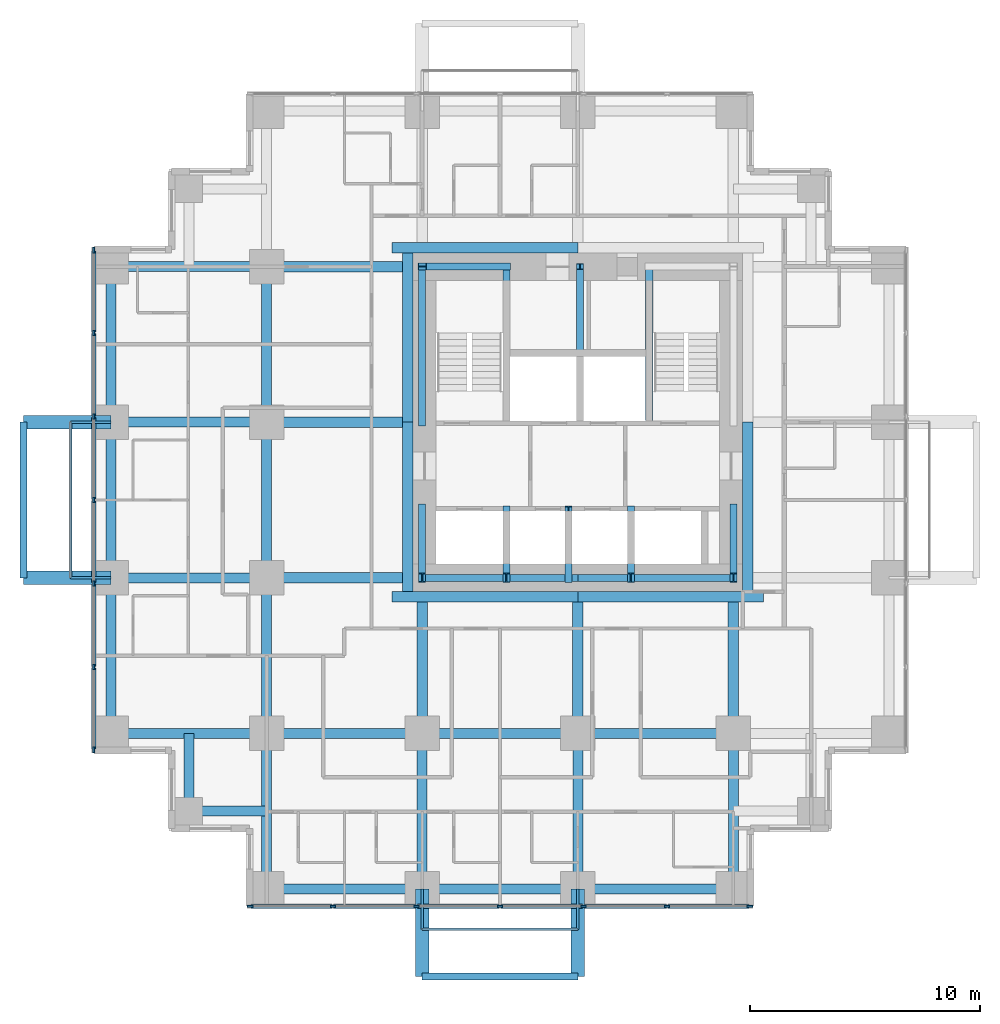
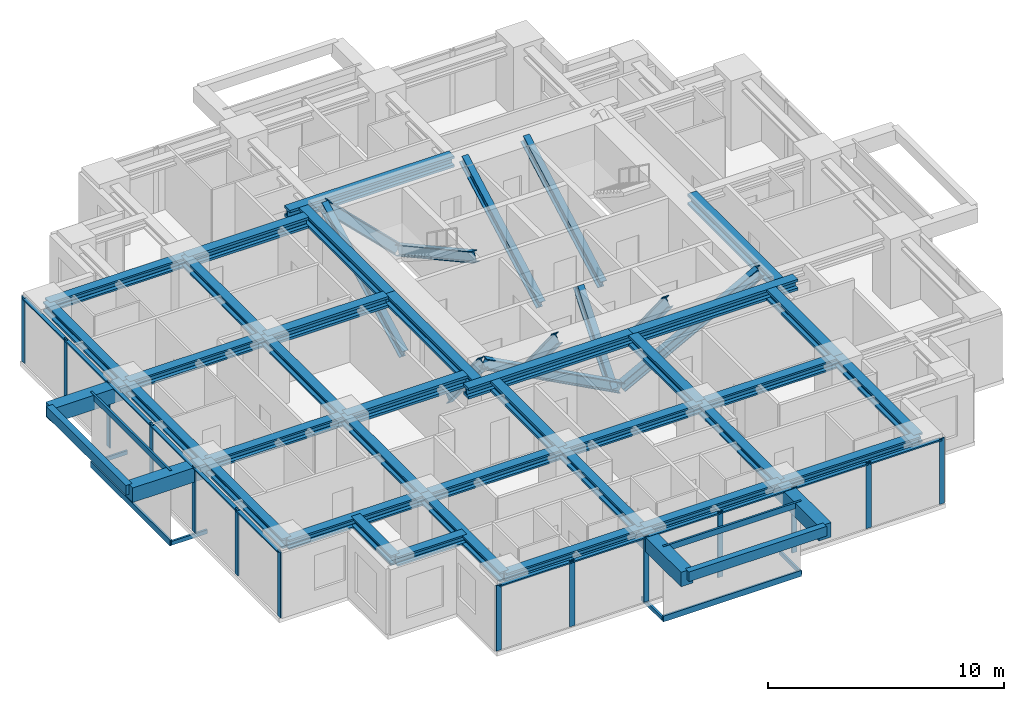
# One storey, part 2 of 10: 46 members, 40 beams, 2 elements without a shape of their own.
"""IFC4 building model written with IfcOpenShell, lengths in metres."""

from ifc_helpers import new_model, si_unit, direction, frame, origin, origin_2d, place, context, subcontext, project, spatial, rectangle, hollow_rectangle, i_section, extrude, material, material_profile, profile_set, type_object, element, aggregate, save


model = new_model("IFC4")

# Units and contexts
model_context = context("Model", 3, precision=1e-05, world=origin(), true_north=direction((0.0, 1.0)))
body_context = subcontext(model_context, "Body", "Model", "MODEL_VIEW")
ifc_project = project(units=[si_unit("LENGTHUNIT", "METRE"), si_unit("AREAUNIT", "SQUARE_METRE"), si_unit("VOLUMEUNIT", "CUBIC_METRE"), si_unit("PLANEANGLEUNIT", "RADIAN"), si_unit("MASSUNIT", "GRAM", prefix="KILO")], contexts=[model_context])

# Site, building, storey
site_placement = place(None, origin())
site = spatial("IfcSite", under=ifc_project, at=site_placement, CompositionType="ELEMENT")
building_placement = place(site_placement, origin())
building = spatial("IfcBuilding", under=site, at=building_placement, Name="Nyansa Garden Tower", CompositionType="ELEMENT")
storey_placement = place(building_placement, frame((0.0, 0.0, 153.0)))
storey = spatial("IfcBuildingStorey", under=building, at=storey_placement, Name="L41", CompositionType="ELEMENT", Elevation=153.0)

# Beams
ifc_material_1 = material(Name="Concrete C70/85", Category="concrete")
ifc_material_profile_1 = material_profile(ifc_material_1, rectangle(XDim=0.60009765625, YDim=0.75, at=origin_2d()), Name="RC 600x750")
ifc_profile_set_1 = profile_set([ifc_material_profile_1], Name="Concrete C70/85")
beam_type_1 = type_object("IfcBeamType", Name="Balcony cantilever beam CB1 RC 600x750", PredefinedType="BEAM", material=ifc_profile_set_1)
for number, where, z_axis, x_axis, name in (
    (1, (13.5, 0.0, 2.985107421875), (0.0, -1.0, 0.0), (1.0, 0.0, 0.0), "Balcony cantilever beam L42"),
    (2, (20.25, 0.0, 2.985107421875), (0.0, -1.0, 0.0), (1.0, 0.0, 0.0), "Balcony cantilever beam L42"),
    (3, (0.0, 13.5, 2.985107421875), (-1.0, 0.0, 0.0), (0.0, -1.0, 0.0), "Balcony cantilever beam L42"),
    (4, (0.0, 20.25, 2.985107421875), (-1.0, 0.0, 0.0), (0.0, -1.0, 0.0), "Balcony cantilever beam L42"),
):
    element("IfcBeam", number, at=place(storey_placement, frame(where, z_axis=z_axis, x_axis=x_axis)), inside=storey, type_object=beam_type_1, Name=name, PredefinedType="BEAM", context=body_context, shape_type="SweptSolid", body=[
        extrude(rectangle(XDim=0.60009765625, YDim=0.75, at=origin_2d()), origin(), (0.0, 0.0, 1.0), 3.800048828125),
    ])
ifc_material_2 = material(Name="Concrete C70/85", Category="concrete")
ifc_material_profile_2 = material_profile(ifc_material_2, rectangle(XDim=0.300048828125, YDim=0.5, at=origin_2d()), Name="RC 300x500")
ifc_profile_set_2 = profile_set([ifc_material_profile_2], Name="Concrete C70/85")
beam_type_2 = type_object("IfcBeamType", Name="Balcony edge beam BE1 RC 300x500", PredefinedType="BEAM", material=ifc_profile_set_2)
for number, where, z_axis, x_axis, name in (
    (5, (13.5, -3.800048828125, 3.110107421875), (1.0, 0.0, 0.0), (0.0, 1.0, 0.0), "Balcony edge beam L42"),
    (6, (-3.800048828125, 13.5, 3.110107421875), (0.0, 1.0, 0.0), (-1.0, 0.0, 0.0), "Balcony edge beam L42"),
):
    element("IfcBeam", number, at=place(storey_placement, frame(where, z_axis=z_axis, x_axis=x_axis)), inside=storey, type_object=beam_type_2, Name=name, PredefinedType="BEAM", context=body_context, shape_type="SweptSolid", body=[
        extrude(rectangle(XDim=0.300048828125, YDim=0.5, at=origin_2d()), origin(), (0.0, 0.0, 1.0), 6.75),
    ])

# Curtain wall, members
ifc_material_3 = material(Name="Black anodised aluminium, dark tinted double glazing", Category="aluminium")
curtain_wall_type = type_object("IfcCurtainWallType", Name="Inner skin curtain wall ISW-C", PredefinedType="USERDEFINED", material=ifc_material_3)
curtain_wall_1_placement = place(storey_placement, origin())
curtain_wall_1 = element("IfcCurtainWall", 7, at=curtain_wall_1_placement, inside=storey, type_object=curtain_wall_type, Name="Inner skin curtain wall L41 W", ObjectType="UNITISED CURTAIN WALL", PredefinedType="USERDEFINED")
ifc_material_4 = material(Name="Black anodised aluminium", Category="aluminium")
ifc_material_profile_3 = material_profile(ifc_material_4, rectangle(XDim=0.070068359375, YDim=0.25, at=origin_2d()), Name="Mullion 250x70")
ifc_profile_set_3 = profile_set([ifc_material_profile_3], Name="Black anodised aluminium")
member_type_1 = type_object("IfcMemberType", Name="Mullion ISW-C 250x70", PredefinedType="MULLION", material=ifc_profile_set_3)
member_1_placement = place(storey_placement, frame((-0.75, 27.715087890625, 0.0), z_axis=(0.0, 0.0, 1.0), x_axis=(1.0, 0.0, 0.0)))
member_1 = element("IfcMember", 8, at=member_1_placement, type_object=member_type_1, Name="ISW-C mullion 1", PredefinedType="MULLION", context=body_context, shape_type="SweptSolid", body=[
    extrude(rectangle(XDim=0.070068359375, YDim=0.25, at=origin_2d()), origin(), (0.0, 0.0, 1.0), 3.375),
])
member_2_placement = place(storey_placement, frame((-0.75, 24.125, 0.0), z_axis=(0.0, 0.0, 1.0), x_axis=(1.0, 0.0, 0.0)))
member_2 = element("IfcMember", 9, at=member_2_placement, type_object=member_type_1, Name="ISW-C mullion 2", PredefinedType="MULLION", context=body_context, shape_type="SweptSolid", body=[
    extrude(rectangle(XDim=0.070068359375, YDim=0.25, at=origin_2d()), origin(), (0.0, 0.0, 1.0), 3.375),
])
member_3_placement = place(storey_placement, frame((-0.75, 20.5, 0.0), z_axis=(0.0, 0.0, 1.0), x_axis=(1.0, 0.0, 0.0)))
member_3 = element("IfcMember", 10, at=member_3_placement, type_object=member_type_1, Name="ISW-C mullion 3", PredefinedType="MULLION", context=body_context, shape_type="SweptSolid", body=[
    extrude(rectangle(XDim=0.070068359375, YDim=0.25, at=origin_2d()), origin(), (0.0, 0.0, 1.0), 3.375),
])
member_4_placement = place(storey_placement, frame((-0.75, 16.875, 0.0), z_axis=(0.0, 0.0, 1.0), x_axis=(1.0, 0.0, 0.0)))
member_4 = element("IfcMember", 11, at=member_4_placement, type_object=member_type_1, Name="ISW-C mullion 4", PredefinedType="MULLION", context=body_context, shape_type="SweptSolid", body=[
    extrude(rectangle(XDim=0.070068359375, YDim=0.25, at=origin_2d()), origin(), (0.0, 0.0, 1.0), 3.375),
])
member_5_placement = place(storey_placement, frame((-0.75, 13.25, 0.0), z_axis=(0.0, 0.0, 1.0), x_axis=(1.0, 0.0, 0.0)))
member_5 = element("IfcMember", 12, at=member_5_placement, type_object=member_type_1, Name="ISW-C mullion 5", PredefinedType="MULLION", context=body_context, shape_type="SweptSolid", body=[
    extrude(rectangle(XDim=0.070068359375, YDim=0.25, at=origin_2d()), origin(), (0.0, 0.0, 1.0), 3.375),
])
member_6_placement = place(storey_placement, frame((-0.75, 9.625, 0.0), z_axis=(0.0, 0.0, 1.0), x_axis=(1.0, 0.0, 0.0)))
member_6 = element("IfcMember", 13, at=member_6_placement, type_object=member_type_1, Name="ISW-C mullion 6", PredefinedType="MULLION", context=body_context, shape_type="SweptSolid", body=[
    extrude(rectangle(XDim=0.070068359375, YDim=0.25, at=origin_2d()), origin(), (0.0, 0.0, 1.0), 3.375),
])
member_7_placement = place(storey_placement, frame((-0.75, 6.034912109375, 0.0), z_axis=(0.0, 0.0, 1.0), x_axis=(1.0, 0.0, 0.0)))
member_7 = element("IfcMember", 14, at=member_7_placement, type_object=member_type_1, Name="ISW-C mullion 7", PredefinedType="MULLION", context=body_context, shape_type="SweptSolid", body=[
    extrude(rectangle(XDim=0.070068359375, YDim=0.25, at=origin_2d()), origin(), (0.0, 0.0, 1.0), 3.375),
])

curtain_wall_2_placement = place(storey_placement, origin())
curtain_wall_2 = element("IfcCurtainWall", 15, at=curtain_wall_2_placement, inside=storey, type_object=curtain_wall_type, Name="Inner skin curtain wall L41 S", ObjectType="UNITISED CURTAIN WALL", PredefinedType="USERDEFINED")
member_8_placement = place(storey_placement, frame((6.034912109375, -0.75, 0.0), z_axis=(0.0, 0.0, 1.0), x_axis=(0.0, 1.0, 0.0)))
member_8 = element("IfcMember", 16, at=member_8_placement, type_object=member_type_1, Name="ISW-C mullion 1", PredefinedType="MULLION", context=body_context, shape_type="SweptSolid", body=[
    extrude(rectangle(XDim=0.070068359375, YDim=0.25, at=origin_2d()), origin(), (0.0, 0.0, 1.0), 3.375),
])
member_9_placement = place(storey_placement, frame((9.625, -0.75, 0.0), z_axis=(0.0, 0.0, 1.0), x_axis=(0.0, 1.0, 0.0)))
member_9 = element("IfcMember", 17, at=member_9_placement, type_object=member_type_1, Name="ISW-C mullion 2", PredefinedType="MULLION", context=body_context, shape_type="SweptSolid", body=[
    extrude(rectangle(XDim=0.070068359375, YDim=0.25, at=origin_2d()), origin(), (0.0, 0.0, 1.0), 3.375),
])
member_10_placement = place(storey_placement, frame((13.25, -0.75, 0.0), z_axis=(0.0, 0.0, 1.0), x_axis=(0.0, 1.0, 0.0)))
member_10 = element("IfcMember", 18, at=member_10_placement, type_object=member_type_1, Name="ISW-C mullion 3", PredefinedType="MULLION", context=body_context, shape_type="SweptSolid", body=[
    extrude(rectangle(XDim=0.070068359375, YDim=0.25, at=origin_2d()), origin(), (0.0, 0.0, 1.0), 3.375),
])
member_11_placement = place(storey_placement, frame((16.875, -0.75, 0.0), z_axis=(0.0, 0.0, 1.0), x_axis=(0.0, 1.0, 0.0)))
member_11 = element("IfcMember", 19, at=member_11_placement, type_object=member_type_1, Name="ISW-C mullion 4", PredefinedType="MULLION", context=body_context, shape_type="SweptSolid", body=[
    extrude(rectangle(XDim=0.070068359375, YDim=0.25, at=origin_2d()), origin(), (0.0, 0.0, 1.0), 3.375),
])
member_12_placement = place(storey_placement, frame((20.5, -0.75, 0.0), z_axis=(0.0, 0.0, 1.0), x_axis=(0.0, 1.0, 0.0)))
member_12 = element("IfcMember", 20, at=member_12_placement, type_object=member_type_1, Name="ISW-C mullion 5", PredefinedType="MULLION", context=body_context, shape_type="SweptSolid", body=[
    extrude(rectangle(XDim=0.070068359375, YDim=0.25, at=origin_2d()), origin(), (0.0, 0.0, 1.0), 3.375),
])
member_13_placement = place(storey_placement, frame((24.125, -0.75, 0.0), z_axis=(0.0, 0.0, 1.0), x_axis=(0.0, 1.0, 0.0)))
member_13 = element("IfcMember", 21, at=member_13_placement, type_object=member_type_1, Name="ISW-C mullion 6", PredefinedType="MULLION", context=body_context, shape_type="SweptSolid", body=[
    extrude(rectangle(XDim=0.070068359375, YDim=0.25, at=origin_2d()), origin(), (0.0, 0.0, 1.0), 3.375),
])
member_14_placement = place(storey_placement, frame((27.715087890625, -0.75, 0.0), z_axis=(0.0, 0.0, 1.0), x_axis=(0.0, 1.0, 0.0)))
member_14 = element("IfcMember", 22, at=member_14_placement, type_object=member_type_1, Name="ISW-C mullion 7", PredefinedType="MULLION", context=body_context, shape_type="SweptSolid", body=[
    extrude(rectangle(XDim=0.070068359375, YDim=0.25, at=origin_2d()), origin(), (0.0, 0.0, 1.0), 3.375),
])

# Members
ifc_material_5 = material(Name="Steel S355, black powder coated", Category="steel")
ifc_material_profile_4 = material_profile(ifc_material_5, hollow_rectangle(XDim=0.10009765625, YDim=0.199951171875, WallThickness=0.008056640625, at=origin_2d()), Name="RHS 200x100x8")
ifc_profile_set_4 = profile_set([ifc_material_profile_4], Name="Steel S355, black powder coated")
member_type_2 = type_object("IfcMemberType", Name="Outer skin bracket arm RHS 200x100x8", PredefinedType="USERDEFINED", material=ifc_profile_set_4)
for number, where, z_axis, x_axis, name in (
    (23, (0.0, 13.5, -0.375), (-1.0, 0.0, 0.0), (0.0, -1.0, 0.0), "Outer skin bracket arm"),
    (24, (0.0, 20.25, -0.375), (-1.0, 0.0, 0.0), (0.0, -1.0, 0.0), "Outer skin bracket arm"),
    (25, (13.5, 0.0, -0.375), (0.0, -1.0, 0.0), (1.0, 0.0, 0.0), "Outer skin bracket arm"),
    (26, (20.25, 0.0, -0.375), (0.0, -1.0, 0.0), (1.0, 0.0, 0.0), "Outer skin bracket arm"),
):
    element("IfcMember", number, at=place(storey_placement, frame(where, z_axis=z_axis, x_axis=x_axis)), inside=storey, type_object=member_type_2, Name=name, ObjectType="OUTER SKIN BRACKET", PredefinedType="USERDEFINED", context=body_context, shape_type="SweptSolid", body=[
        extrude(hollow_rectangle(XDim=0.10009765625, YDim=0.199951171875, WallThickness=0.008056640625, at=origin_2d()), origin(), (0.0, 0.0, 1.0), 1.75),
    ])
ifc_material_6 = material(Name="Steel S355, black powder coated", Category="steel")
ifc_material_profile_5 = material_profile(ifc_material_6, hollow_rectangle(XDim=0.10009765625, YDim=0.300048828125, WallThickness=0.010009765625, at=origin_2d()), Name="RHS 300x100x10")
ifc_profile_set_5 = profile_set([ifc_material_profile_5], Name="Steel S355, black powder coated")
member_type_3 = type_object("IfcMemberType", Name="Outer skin rail RHS 300x100x10", PredefinedType="USERDEFINED", material=ifc_profile_set_5)
for number, where, z_axis, x_axis, name in (
    (27, (-1.75, 13.5, -0.375), (0.0, 1.0, 0.0), (-1.0, 0.0, 0.0), "Outer skin rail L41"),
    (28, (-1.75, 13.5, 3.22509765625), (0.0, 1.0, 0.0), (-1.0, 0.0, 0.0), "Outer skin rail L41 head"),
    (29, (13.5, -1.75, -0.375), (1.0, 0.0, 0.0), (0.0, 1.0, 0.0), "Outer skin rail L41"),
    (30, (13.5, -1.75, 3.22509765625), (1.0, 0.0, 0.0), (0.0, 1.0, 0.0), "Outer skin rail L41 head"),
):
    element("IfcMember", number, at=place(storey_placement, frame(where, z_axis=z_axis, x_axis=x_axis)), inside=storey, type_object=member_type_3, Name=name, ObjectType="OUTER SKIN RAIL", PredefinedType="USERDEFINED", context=body_context, shape_type="SweptSolid", body=[
        extrude(hollow_rectangle(XDim=0.10009765625, YDim=0.300048828125, WallThickness=0.010009765625, at=origin_2d()), origin(), (0.0, 0.0, 1.0), 6.75),
    ])
ifc_material_7 = material(Name="Steel S355", Category="steel")
ifc_material_profile_6 = material_profile(ifc_material_7, i_section(OverallWidth=0.305908203125, OverallDepth=0.52392578125, WebThickness=0.02099609375, FlangeThickness=0.0400390625, FilletRadius=0.027099609375, at=origin_2d()), Name="HE 500 M")
ifc_profile_set_6 = profile_set([ifc_material_profile_6], Name="Steel S355")
member_type_4 = type_object("IfcMemberType", Name="Perimeter brace HE 500 M", PredefinedType="BRACE", material=ifc_profile_set_6)
for number, where, z_axis, x_axis, name in (
    (31, (20.25, 13.5, 0.0), (-0.882347640589, 0.0, 0.47059817376), (0.0, -1.0, 0.0), "Core brace CS1 L41"),
    (32, (20.25, 13.5, 0.0), (0.882347640589, 0.0, 0.47059817376), (0.0, 1.0, 0.0), "Core brace CS2 L41"),
):
    element("IfcMember", number, at=place(storey_placement, frame(where, z_axis=z_axis, x_axis=x_axis)), inside=storey, type_object=member_type_4, Name=name, PredefinedType="BRACE", context=body_context, shape_type="SweptSolid", body=[
        extrude(i_section(OverallWidth=0.305908203125, OverallDepth=0.52392578125, WebThickness=0.02099609375, FlangeThickness=0.0400390625, FilletRadius=0.027099609375, at=origin_2d()), origin(), (0.0, 0.0, 1.0), 7.650146484375),
    ])
member_15_placement = place(storey_placement, frame((17.14990234375, 27.0, 0.0), z_axis=(-0.711947531702, 0.0, 0.702232662373), x_axis=(0.0, -1.0, 0.0)))
element("IfcMember", 33, at=member_15_placement, inside=storey, type_object=member_type_4, Name="Core brace CN3 L41", PredefinedType="BRACE", context=body_context, shape_type="SweptSolid", body=[
    extrude(i_section(OverallWidth=0.305908203125, OverallDepth=0.52392578125, WebThickness=0.02099609375, FlangeThickness=0.0400390625, FilletRadius=0.027099609375, at=origin_2d()), origin(), (0.0, 0.0, 1.0), 5.126708984375),
])
member_16_placement = place(storey_placement, frame((13.5, 16.5, 0.0), z_axis=(0.0, -0.640174150918, 0.768229820104), x_axis=(1.0, 0.0, 0.0)))
element("IfcMember", 34, at=member_16_placement, inside=storey, type_object=member_type_4, Name="Core brace CW5 L41", PredefinedType="BRACE", context=body_context, shape_type="SweptSolid", body=[
    extrude(i_section(OverallWidth=0.305908203125, OverallDepth=0.52392578125, WebThickness=0.02099609375, FlangeThickness=0.0400390625, FilletRadius=0.027099609375, at=origin_2d()), origin(), (0.0, 0.0, 1.0), 4.686279296875),
])
member_17_placement = place(storey_placement, frame((13.5, 20.199951171875, 0.0), z_axis=(0.0, 0.883784057226, 0.467895009796), x_axis=(-1.0, 0.0, 0.0)))
element("IfcMember", 35, at=member_17_placement, inside=storey, type_object=member_type_4, Name="Core brace CW6 L41", PredefinedType="BRACE", context=body_context, shape_type="SweptSolid", body=[
    extrude(i_section(OverallWidth=0.305908203125, OverallDepth=0.52392578125, WebThickness=0.02099609375, FlangeThickness=0.0400390625, FilletRadius=0.027099609375, at=origin_2d()), origin(), (0.0, 0.0, 1.0), 7.6943359375),
])
member_18_placement = place(storey_placement, frame((27.0, 16.5, 0.0), z_axis=(0.0, -0.640174150918, 0.768229820104), x_axis=(1.0, 0.0, 0.0)))
element("IfcMember", 36, at=member_18_placement, inside=storey, type_object=member_type_4, Name="Core brace CE7 L41", PredefinedType="BRACE", context=body_context, shape_type="SweptSolid", body=[
    extrude(i_section(OverallWidth=0.305908203125, OverallDepth=0.52392578125, WebThickness=0.02099609375, FlangeThickness=0.0400390625, FilletRadius=0.027099609375, at=origin_2d()), origin(), (0.0, 0.0, 1.0), 4.686279296875),
])
for number, where, z_axis, x_axis, name in (
    (37, (17.14990234375, 27.0, 0.0), (0.0, -0.876353113771, 0.481669201822), (1.0, 0.0, 0.0), "Core brace CWS9 L41"),
    (38, (23.35009765625, 20.449951171875, 0.0), (0.0, 0.876353113771, 0.481669201822), (-1.0, 0.0, 0.0), "Core brace CES10 L41"),
):
    element("IfcMember", number, at=place(storey_placement, frame(where, z_axis=z_axis, x_axis=x_axis)), inside=storey, type_object=member_type_4, Name=name, PredefinedType="BRACE", context=body_context, shape_type="SweptSolid", body=[
        extrude(i_section(OverallWidth=0.305908203125, OverallDepth=0.52392578125, WebThickness=0.02099609375, FlangeThickness=0.0400390625, FilletRadius=0.027099609375, at=origin_2d()), origin(), (0.0, 0.0, 1.0), 7.47412109375),
    ])
for number, where, z_axis, x_axis, name in (
    (39, (17.14990234375, 16.39990234375, 0.0), (0.0, -0.627306405886, 0.778772542617), (1.0, 0.0, 0.0), "Core brace CSW11 L41"),
    (40, (19.85009765625, 13.5, 0.0), (0.0, 0.627306405886, 0.778772542617), (-1.0, 0.0, 0.0), "Core brace CSW12 L41"),
    (41, (22.550048828125, 16.39990234375, 0.0), (0.0, -0.627306405886, 0.778772542617), (1.0, 0.0, 0.0), "Core brace CSW13 L41"),
):
    element("IfcMember", number, at=place(storey_placement, frame(where, z_axis=z_axis, x_axis=x_axis)), inside=storey, type_object=member_type_4, Name=name, PredefinedType="BRACE", context=body_context, shape_type="SweptSolid", body=[
        extrude(i_section(OverallWidth=0.305908203125, OverallDepth=0.52392578125, WebThickness=0.02099609375, FlangeThickness=0.0400390625, FilletRadius=0.027099609375, at=origin_2d()), origin(), (0.0, 0.0, 1.0), 4.622802734375),
    ])
member_19_placement = place(storey_placement, frame((20.35009765625, 20.449951171875, 0.0), z_axis=(0.0, 0.876353113771, 0.481669201822), x_axis=(-1.0, 0.0, 0.0)))
element("IfcMember", 42, at=member_19_placement, inside=storey, type_object=member_type_4, Name="Core brace CNW14 L41", PredefinedType="BRACE", context=body_context, shape_type="SweptSolid", body=[
    extrude(i_section(OverallWidth=0.305908203125, OverallDepth=0.52392578125, WebThickness=0.02099609375, FlangeThickness=0.0400390625, FilletRadius=0.027099609375, at=origin_2d()), origin(), (0.0, 0.0, 1.0), 7.47412109375),
])

# Beams
ifc_material_8 = material(Name="Steel S355", Category="steel")
ifc_material_profile_7 = material_profile(ifc_material_8, i_section(OverallWidth=0.431884765625, OverallDepth=0.498046875, WebThickness=0.0556640625, FlangeThickness=0.0888671875, FilletRadius=0.014892578125, at=origin_2d()), Name="HD 400x744")
ifc_profile_set_7 = profile_set([ifc_material_profile_7], Name="Steel S355")
beam_type_3 = type_object("IfcBeamType", Name="Steel beam SBC1-744 HD 400x744", PredefinedType="BEAM", material=ifc_profile_set_7)
for number, where, z_axis, x_axis, name in (
    (43, (0.0, 6.75, 3.1259765625), (1.0, 0.0, 0.0), (0.0, 1.0, 0.0), "Steel beam 2/E-3/E L42"),
    (44, (0.0, 13.5, 3.1259765625), (1.0, 0.0, 0.0), (0.0, 1.0, 0.0), "Steel beam 2/F-3/F L42"),
    (45, (0.0, 20.25, 3.1259765625), (1.0, 0.0, 0.0), (0.0, 1.0, 0.0), "Steel beam 2/G-3/G L42"),
    (46, (0.0, 27.0, 3.1259765625), (1.0, 0.0, 0.0), (0.0, 1.0, 0.0), "Steel beam 2/H-3/H L42"),
    (47, (6.75, 0.0, 3.1259765625), (0.0, 1.0, 0.0), (-1.0, 0.0, 0.0), "Steel beam 3/D-3/E L42"),
    (48, (6.75, 6.75, 3.1259765625), (0.0, 1.0, 0.0), (-1.0, 0.0, 0.0), "Steel beam 3/E-3/F L42"),
    (49, (6.75, 6.75, 3.1259765625), (1.0, 0.0, 0.0), (0.0, 1.0, 0.0), "Steel beam 3/E-4/E L42"),
    (50, (6.75, 13.5, 3.1259765625), (0.0, 1.0, 0.0), (-1.0, 0.0, 0.0), "Steel beam 3/F-3/G L42"),
    (51, (6.75, 20.25, 3.1259765625), (0.0, 1.0, 0.0), (-1.0, 0.0, 0.0), "Steel beam 3/G-3/H L42"),
    (52, (13.5, 0.0, 3.1259765625), (0.0, 1.0, 0.0), (-1.0, 0.0, 0.0), "Steel beam 4/D-4/E L42"),
    (53, (13.5, 6.75, 3.1259765625), (1.0, 0.0, 0.0), (0.0, 1.0, 0.0), "Steel beam 4/E-5/E L42"),
    (54, (20.25, 0.0, 3.1259765625), (0.0, 1.0, 0.0), (-1.0, 0.0, 0.0), "Steel beam 5/D-5/E L42"),
    (55, (20.25, 6.75, 3.1259765625), (1.0, 0.0, 0.0), (0.0, 1.0, 0.0), "Steel beam 5/E-6/E L42"),
    (56, (27.0, 0.0, 3.1259765625), (0.0, 1.0, 0.0), (-1.0, 0.0, 0.0), "Steel beam 6/D-6/E L42"),
):
    element("IfcBeam", number, at=place(storey_placement, frame(where, z_axis=z_axis, x_axis=x_axis)), inside=storey, type_object=beam_type_3, Name=name, PredefinedType="BEAM", context=body_context, shape_type="SweptSolid", body=[
        extrude(i_section(OverallWidth=0.431884765625, OverallDepth=0.498046875, WebThickness=0.0556640625, FlangeThickness=0.0888671875, FilletRadius=0.014892578125, at=origin_2d()), origin(), (0.0, 0.0, 1.0), 6.75),
    ])
ifc_material_9 = material(Name="Steel S355", Category="steel")
ifc_material_profile_8 = material_profile(ifc_material_9, i_section(OverallWidth=0.4541015625, OverallDepth=0.569091796875, WebThickness=0.077880859375, FlangeThickness=0.125, FilletRadius=0.014892578125, at=origin_2d()), Name="HD 400x1086")
ifc_profile_set_8 = profile_set([ifc_material_profile_8], Name="Steel S355")
beam_type_4 = type_object("IfcBeamType", Name="Steel beam SCL-1086 HD 400x1086", PredefinedType="BEAM", material=ifc_profile_set_8)
for number, where, z_axis, x_axis, name in (
    (57, (6.75, 13.5, 3.090576171875), (1.0, 0.0, 0.0), (0.0, 1.0, 0.0), "Steel beam 3/F-12.650/F L42"),
    (58, (6.75, 20.25, 3.090576171875), (1.0, 0.0, 0.0), (0.0, 1.0, 0.0), "Steel beam 3/G-12.650/G L42"),
    (59, (6.75, 27.0, 3.090576171875), (1.0, 0.0, 0.0), (0.0, 1.0, 0.0), "Steel beam 3/H-12.650/H L42"),
):
    element("IfcBeam", number, at=place(storey_placement, frame(where, z_axis=z_axis, x_axis=x_axis)), inside=storey, type_object=beam_type_4, Name=name, PredefinedType="BEAM", context=body_context, shape_type="SweptSolid", body=[
        extrude(i_section(OverallWidth=0.4541015625, OverallDepth=0.569091796875, WebThickness=0.077880859375, FlangeThickness=0.125, FilletRadius=0.014892578125, at=origin_2d()), origin(), (0.0, 0.0, 1.0), 5.89990234375),
    ])
for number, where, z_axis, x_axis, name in (
    (60, (13.5, 6.75, 3.090576171875), (0.0, 1.0, 0.0), (-1.0, 0.0, 0.0), "Steel beam 4/E-4/12.450 L42"),
    (61, (20.25, 6.75, 3.090576171875), (0.0, 1.0, 0.0), (-1.0, 0.0, 0.0), "Steel beam 5/E-5/12.450 L42"),
    (62, (27.0, 6.75, 3.090576171875), (0.0, 1.0, 0.0), (-1.0, 0.0, 0.0), "Steel beam 6/E-6/12.450 L42"),
):
    element("IfcBeam", number, at=place(storey_placement, frame(where, z_axis=z_axis, x_axis=x_axis)), inside=storey, type_object=beam_type_4, Name=name, PredefinedType="BEAM", context=body_context, shape_type="SweptSolid", body=[
        extrude(i_section(OverallWidth=0.4541015625, OverallDepth=0.569091796875, WebThickness=0.077880859375, FlangeThickness=0.125, FilletRadius=0.014892578125, at=origin_2d()), origin(), (0.0, 0.0, 1.0), 5.699951171875),
    ])
for number, where, z_axis, x_axis, name in (
    (63, (12.199951171875, 12.673095703125, 3.090576171875), (1.0, 0.0, 0.0), (0.0, 1.0, 0.0), "Steel core ledger beam S.1 L42"),
    (64, (20.25, 12.673095703125, 3.090576171875), (1.0, 0.0, 0.0), (0.0, 1.0, 0.0), "Steel core ledger beam S.2 L42"),
):
    element("IfcBeam", number, at=place(storey_placement, frame(where, z_axis=z_axis, x_axis=x_axis)), inside=storey, type_object=beam_type_4, Name=name, PredefinedType="BEAM", context=body_context, shape_type="SweptSolid", body=[
        extrude(i_section(OverallWidth=0.4541015625, OverallDepth=0.569091796875, WebThickness=0.077880859375, FlangeThickness=0.125, FilletRadius=0.014892578125, at=origin_2d()), origin(), (0.0, 0.0, 1.0), 8.050048828125),
    ])
beam_1_placement = place(storey_placement, frame((27.626953125, 12.89990234375, 3.090576171875), z_axis=(0.0, 1.0, 0.0), x_axis=(-1.0, 0.0, 0.0)))
element("IfcBeam", 65, at=beam_1_placement, inside=storey, type_object=beam_type_4, Name="Steel core ledger beam E.1 L42", PredefinedType="BEAM", context=body_context, shape_type="SweptSolid", body=[
    extrude(i_section(OverallWidth=0.4541015625, OverallDepth=0.569091796875, WebThickness=0.077880859375, FlangeThickness=0.125, FilletRadius=0.014892578125, at=origin_2d()), origin(), (0.0, 0.0, 1.0), 7.35009765625),
])
beam_2_placement = place(storey_placement, frame((20.25, 27.826904296875, 3.090576171875), z_axis=(-1.0, 0.0, 0.0), x_axis=(0.0, -1.0, 0.0)))
element("IfcBeam", 66, at=beam_2_placement, inside=storey, type_object=beam_type_4, Name="Steel core ledger beam N.2 L42", PredefinedType="BEAM", context=body_context, shape_type="SweptSolid", body=[
    extrude(i_section(OverallWidth=0.4541015625, OverallDepth=0.569091796875, WebThickness=0.077880859375, FlangeThickness=0.125, FilletRadius=0.014892578125, at=origin_2d()), origin(), (0.0, 0.0, 1.0), 8.050048828125),
])
for number, where, z_axis, x_axis, name in (
    (67, (12.873046875, 27.60009765625, 3.090576171875), (0.0, -1.0, 0.0), (1.0, 0.0, 0.0), "Steel core ledger beam W.1 L42"),
    (68, (12.873046875, 20.25, 3.090576171875), (0.0, -1.0, 0.0), (1.0, 0.0, 0.0), "Steel core ledger beam W.2 L42"),
):
    element("IfcBeam", number, at=place(storey_placement, frame(where, z_axis=z_axis, x_axis=x_axis)), inside=storey, type_object=beam_type_4, Name=name, PredefinedType="BEAM", context=body_context, shape_type="SweptSolid", body=[
        extrude(i_section(OverallWidth=0.4541015625, OverallDepth=0.569091796875, WebThickness=0.077880859375, FlangeThickness=0.125, FilletRadius=0.014892578125, at=origin_2d()), origin(), (0.0, 0.0, 1.0), 7.35009765625),
    ])
ifc_material_10 = material(Name="Steel S355", Category="steel")
ifc_material_profile_9 = material_profile(ifc_material_10, i_section(OverallWidth=0.431884765625, OverallDepth=0.498046875, WebThickness=0.0556640625, FlangeThickness=0.0888671875, FilletRadius=0.014892578125, at=origin_2d()), Name="HD 400x744")
ifc_profile_set_9 = profile_set([ifc_material_profile_9], Name="Steel S355")
beam_type_5 = type_object("IfcBeamType", Name="Steel beam SEBC-744 HD 400x744", PredefinedType="BEAM", material=ifc_profile_set_9)
for number, where, z_axis, x_axis, name in (
    (69, (0.0, 6.75, 3.1259765625), (0.0, 1.0, 0.0), (-1.0, 0.0, 0.0), "Steel edge beam 2/E-2/F L42"),
    (70, (0.0, 13.5, 3.1259765625), (0.0, 1.0, 0.0), (-1.0, 0.0, 0.0), "Steel edge beam 2/F-2/G L42"),
    (71, (0.0, 20.25, 3.1259765625), (0.0, 1.0, 0.0), (-1.0, 0.0, 0.0), "Steel edge beam 2/G-2/H L42"),
    (72, (6.75, 0.0, 3.1259765625), (1.0, 0.0, 0.0), (0.0, 1.0, 0.0), "Steel edge beam 3/D-4/D L42"),
    (73, (13.5, 0.0, 3.1259765625), (1.0, 0.0, 0.0), (0.0, 1.0, 0.0), "Steel edge beam 4/D-5/D L42"),
    (74, (20.25, 0.0, 3.1259765625), (1.0, 0.0, 0.0), (0.0, 1.0, 0.0), "Steel edge beam 5/D-6/D L42"),
):
    element("IfcBeam", number, at=place(storey_placement, frame(where, z_axis=z_axis, x_axis=x_axis)), inside=storey, type_object=beam_type_5, Name=name, PredefinedType="BEAM", context=body_context, shape_type="SweptSolid", body=[
        extrude(i_section(OverallWidth=0.431884765625, OverallDepth=0.498046875, WebThickness=0.0556640625, FlangeThickness=0.0888671875, FilletRadius=0.014892578125, at=origin_2d()), origin(), (0.0, 0.0, 1.0), 6.75),
    ])
ifc_material_11 = material(Name="Steel S355", Category="steel")
ifc_material_profile_10 = material_profile(ifc_material_11, i_section(OverallWidth=0.431884765625, OverallDepth=0.498046875, WebThickness=0.0556640625, FlangeThickness=0.0888671875, FilletRadius=0.014892578125, at=origin_2d()), Name="HD 400x744")
ifc_profile_set_10 = profile_set([ifc_material_profile_10], Name="Steel S355")
beam_type_6 = type_object("IfcBeamType", Name="Steel beam SSB1-744 HD 400x744", PredefinedType="BEAM", material=ifc_profile_set_10)
for number, where, z_axis, x_axis, name in (
    (75, (3.375, 3.375, 3.1259765625), (0.0, 1.0, 0.0), (-1.0, 0.0, 0.0), "Steel step beam 3.375/3.375 L42"),
    (76, (3.375, 3.375, 3.1259765625), (1.0, 0.0, 0.0), (0.0, 1.0, 0.0), "Steel step beam 3.375/3.375 L42"),
):
    element("IfcBeam", number, at=place(storey_placement, frame(where, z_axis=z_axis, x_axis=x_axis)), inside=storey, type_object=beam_type_6, Name=name, PredefinedType="BEAM", context=body_context, shape_type="SweptSolid", body=[
        extrude(i_section(OverallWidth=0.431884765625, OverallDepth=0.498046875, WebThickness=0.0556640625, FlangeThickness=0.0888671875, FilletRadius=0.014892578125, at=origin_2d()), origin(), (0.0, 0.0, 1.0), 3.375),
    ])

# Member
ifc_material_12 = material(Name="Black anodised aluminium", Category="aluminium")
ifc_material_profile_11 = material_profile(ifc_material_12, rectangle(XDim=0.179931640625, YDim=0.070068359375, at=origin_2d()), Name="Transom 180x70")
ifc_profile_set_11 = profile_set([ifc_material_profile_11], Name="Black anodised aluminium")
member_type_5 = type_object("IfcMemberType", Name="Transom ISW-C 180x70", PredefinedType="USERDEFINED", material=ifc_profile_set_11)
member_20_placement = place(storey_placement, frame((-0.75, 27.679931640625, 3.340087890625), z_axis=(0.0, -1.0, 0.0), x_axis=(1.0, 0.0, 0.0)))
member_20 = element("IfcMember", 77, at=member_20_placement, type_object=member_type_5, Name="ISW-C transom 1", ObjectType="TRANSOM", PredefinedType="USERDEFINED", context=body_context, shape_type="SweptSolid", body=[
    extrude(rectangle(XDim=0.179931640625, YDim=0.070068359375, at=origin_2d()), origin(), (0.0, 0.0, 1.0), 3.52001953125),
])

member_21_placement = place(storey_placement, frame((-0.75, 24.090087890625, 3.340087890625), z_axis=(0.0, -1.0, 0.0), x_axis=(1.0, 0.0, 0.0)))
member_21 = element("IfcMember", 78, at=member_21_placement, type_object=member_type_5, Name="ISW-C transom 2", ObjectType="TRANSOM", PredefinedType="USERDEFINED", context=body_context, shape_type="SweptSolid", body=[
    extrude(rectangle(XDim=0.179931640625, YDim=0.070068359375, at=origin_2d()), origin(), (0.0, 0.0, 1.0), 3.55517578125),
])

member_22_placement = place(storey_placement, frame((-0.75, 20.465087890625, 3.340087890625), z_axis=(0.0, -1.0, 0.0), x_axis=(1.0, 0.0, 0.0)))
member_22 = element("IfcMember", 79, at=member_22_placement, type_object=member_type_5, Name="ISW-C transom 3", ObjectType="TRANSOM", PredefinedType="USERDEFINED", context=body_context, shape_type="SweptSolid", body=[
    extrude(rectangle(XDim=0.179931640625, YDim=0.070068359375, at=origin_2d()), origin(), (0.0, 0.0, 1.0), 3.55517578125),
])

member_23_placement = place(storey_placement, frame((-0.75, 16.840087890625, 3.340087890625), z_axis=(0.0, -1.0, 0.0), x_axis=(1.0, 0.0, 0.0)))
member_23 = element("IfcMember", 80, at=member_23_placement, type_object=member_type_5, Name="ISW-C transom 4", ObjectType="TRANSOM", PredefinedType="USERDEFINED", context=body_context, shape_type="SweptSolid", body=[
    extrude(rectangle(XDim=0.179931640625, YDim=0.070068359375, at=origin_2d()), origin(), (0.0, 0.0, 1.0), 3.55517578125),
])

member_24_placement = place(storey_placement, frame((-0.75, 13.215087890625, 3.340087890625), z_axis=(0.0, -1.0, 0.0), x_axis=(1.0, 0.0, 0.0)))
member_24 = element("IfcMember", 81, at=member_24_placement, type_object=member_type_5, Name="ISW-C transom 5", ObjectType="TRANSOM", PredefinedType="USERDEFINED", context=body_context, shape_type="SweptSolid", body=[
    extrude(rectangle(XDim=0.179931640625, YDim=0.070068359375, at=origin_2d()), origin(), (0.0, 0.0, 1.0), 3.55517578125),
])

member_25_placement = place(storey_placement, frame((-0.75, 9.590087890625, 3.340087890625), z_axis=(0.0, -1.0, 0.0), x_axis=(1.0, 0.0, 0.0)))
member_25 = element("IfcMember", 82, at=member_25_placement, type_object=member_type_5, Name="ISW-C transom 6", ObjectType="TRANSOM", PredefinedType="USERDEFINED", context=body_context, shape_type="SweptSolid", body=[
    extrude(rectangle(XDim=0.179931640625, YDim=0.070068359375, at=origin_2d()), origin(), (0.0, 0.0, 1.0), 3.52001953125),
])

aggregate(curtain_wall_1, [member_1, member_2, member_3, member_4, member_5, member_6, member_7, member_20, member_21, member_22, member_23, member_24, member_25])

member_26_placement = place(storey_placement, frame((6.070068359375, -0.75, 3.340087890625), z_axis=(1.0, 0.0, 0.0), x_axis=(0.0, 1.0, 0.0)))
member_26 = element("IfcMember", 83, at=member_26_placement, type_object=member_type_5, Name="ISW-C transom 1", ObjectType="TRANSOM", PredefinedType="USERDEFINED", context=body_context, shape_type="SweptSolid", body=[
    extrude(rectangle(XDim=0.179931640625, YDim=0.070068359375, at=origin_2d()), origin(), (0.0, 0.0, 1.0), 3.52001953125),
])

member_27_placement = place(storey_placement, frame((9.659912109375, -0.75, 3.340087890625), z_axis=(1.0, 0.0, 0.0), x_axis=(0.0, 1.0, 0.0)))
member_27 = element("IfcMember", 84, at=member_27_placement, type_object=member_type_5, Name="ISW-C transom 2", ObjectType="TRANSOM", PredefinedType="USERDEFINED", context=body_context, shape_type="SweptSolid", body=[
    extrude(rectangle(XDim=0.179931640625, YDim=0.070068359375, at=origin_2d()), origin(), (0.0, 0.0, 1.0), 3.55517578125),
])

member_28_placement = place(storey_placement, frame((13.284912109375, -0.75, 3.340087890625), z_axis=(1.0, 0.0, 0.0), x_axis=(0.0, 1.0, 0.0)))
member_28 = element("IfcMember", 85, at=member_28_placement, type_object=member_type_5, Name="ISW-C transom 3", ObjectType="TRANSOM", PredefinedType="USERDEFINED", context=body_context, shape_type="SweptSolid", body=[
    extrude(rectangle(XDim=0.179931640625, YDim=0.070068359375, at=origin_2d()), origin(), (0.0, 0.0, 1.0), 3.55517578125),
])

member_29_placement = place(storey_placement, frame((16.909912109375, -0.75, 3.340087890625), z_axis=(1.0, 0.0, 0.0), x_axis=(0.0, 1.0, 0.0)))
member_29 = element("IfcMember", 86, at=member_29_placement, type_object=member_type_5, Name="ISW-C transom 4", ObjectType="TRANSOM", PredefinedType="USERDEFINED", context=body_context, shape_type="SweptSolid", body=[
    extrude(rectangle(XDim=0.179931640625, YDim=0.070068359375, at=origin_2d()), origin(), (0.0, 0.0, 1.0), 3.55517578125),
])

member_30_placement = place(storey_placement, frame((20.534912109375, -0.75, 3.340087890625), z_axis=(1.0, 0.0, 0.0), x_axis=(0.0, 1.0, 0.0)))
member_30 = element("IfcMember", 87, at=member_30_placement, type_object=member_type_5, Name="ISW-C transom 5", ObjectType="TRANSOM", PredefinedType="USERDEFINED", context=body_context, shape_type="SweptSolid", body=[
    extrude(rectangle(XDim=0.179931640625, YDim=0.070068359375, at=origin_2d()), origin(), (0.0, 0.0, 1.0), 3.55517578125),
])

member_31_placement = place(storey_placement, frame((24.159912109375, -0.75, 3.340087890625), z_axis=(1.0, 0.0, 0.0), x_axis=(0.0, 1.0, 0.0)))
member_31 = element("IfcMember", 88, at=member_31_placement, type_object=member_type_5, Name="ISW-C transom 6", ObjectType="TRANSOM", PredefinedType="USERDEFINED", context=body_context, shape_type="SweptSolid", body=[
    extrude(rectangle(XDim=0.179931640625, YDim=0.070068359375, at=origin_2d()), origin(), (0.0, 0.0, 1.0), 3.52001953125),
])

aggregate(curtain_wall_2, [member_8, member_9, member_10, member_11, member_12, member_13, member_14, member_26, member_27, member_28, member_29, member_30, member_31])

save(model, "model.ifc")
